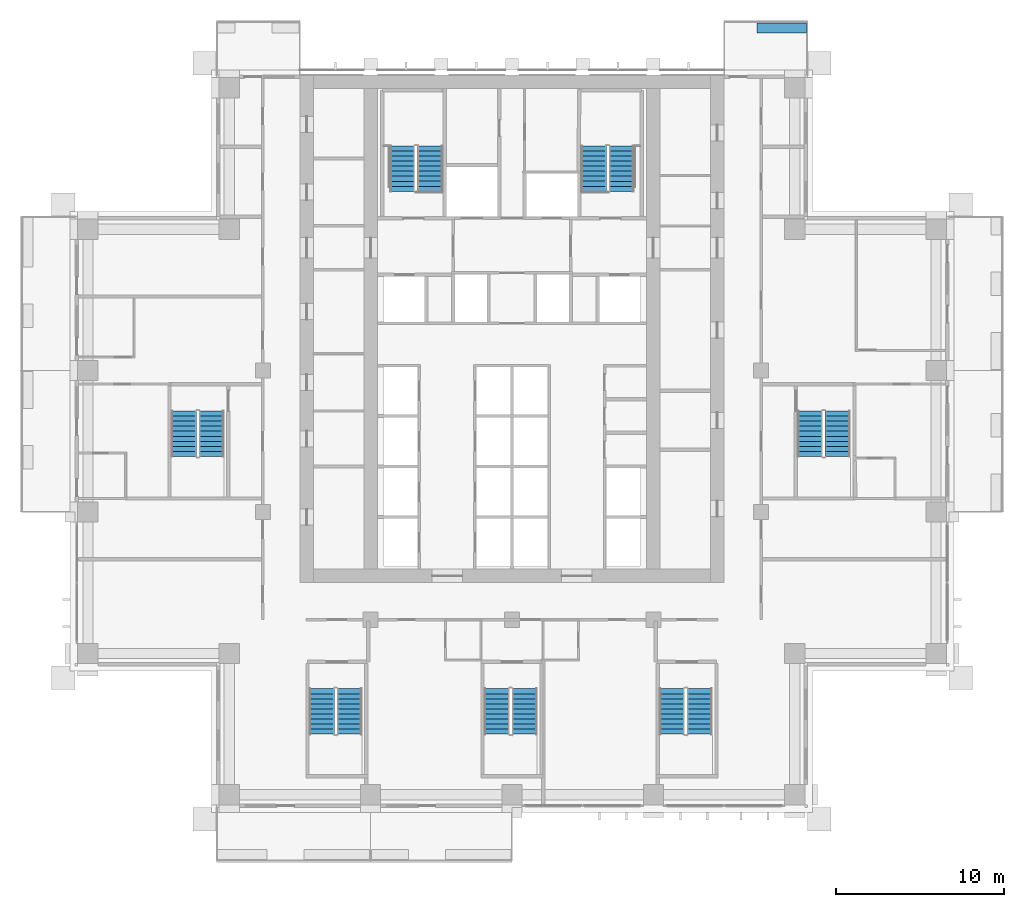
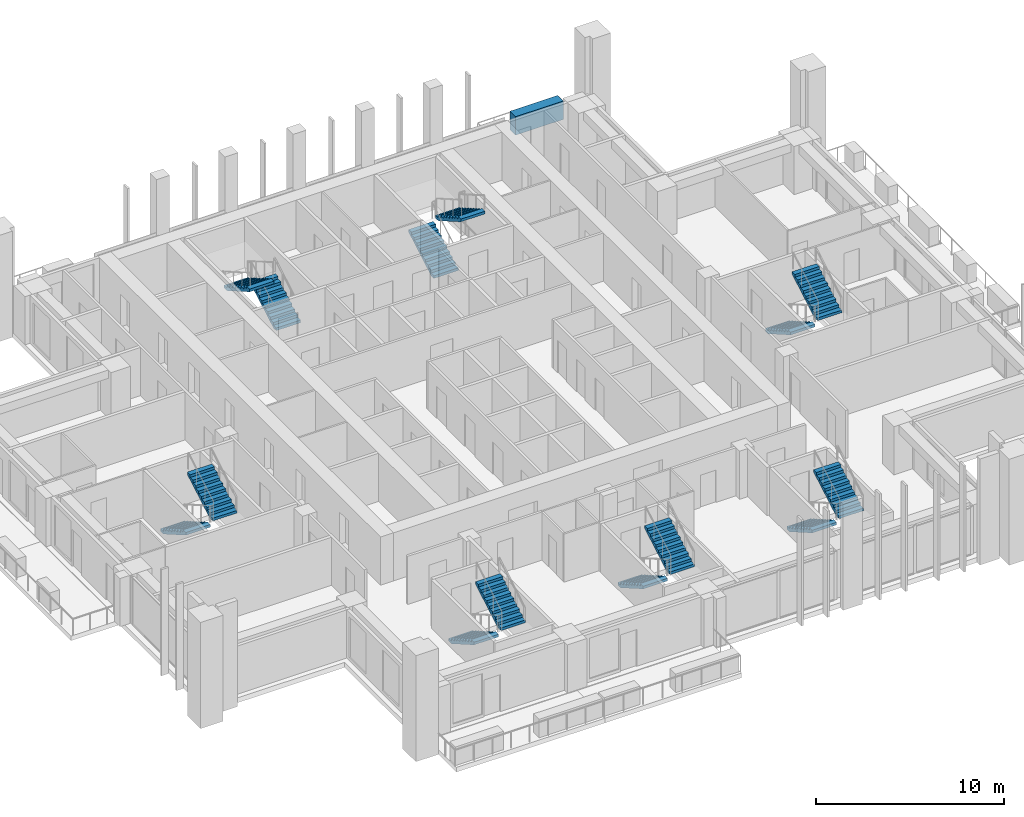
# One storey, part 12 of 17: 14 stair flights, 1 wall, 7 elements without a shape of their own.
"""IFC4 building model written with IfcOpenShell, lengths in metres."""

from ifc_helpers import new_model, si_unit, direction, frame, frame_2d, origin, place, context, subcontext, project, spatial, polyline, rectangle, outline, extrude, material, layer, layer_set, type_object, element, aggregate, save


model = new_model("IFC4")

# Units and contexts
model_context = context("Model", 3, precision=1e-05, world=origin(), true_north=direction((0.0, 1.0)))
body_context = subcontext(model_context, "Body", "Model", "MODEL_VIEW")
ifc_project = project(units=[si_unit("LENGTHUNIT", "METRE"), si_unit("AREAUNIT", "SQUARE_METRE"), si_unit("VOLUMEUNIT", "CUBIC_METRE"), si_unit("PLANEANGLEUNIT", "RADIAN"), si_unit("MASSUNIT", "GRAM", prefix="KILO")], contexts=[model_context])

# Site, building, storey
site_placement = place(None, origin())
site = spatial("IfcSite", under=ifc_project, at=site_placement, CompositionType="ELEMENT")
building_placement = place(site_placement, origin())
building = spatial("IfcBuilding", under=site, at=building_placement, Name="Vermilion Ogive Tower", CompositionType="ELEMENT")
storey_placement = place(building_placement, frame((0.0, 0.0, 97.64990234375)))
storey = spatial("IfcBuildingStorey", under=building, at=storey_placement, Name="L24", CompositionType="ELEMENT", Elevation=97.64990234375)

# Wall
ifc_material_1 = material(Name="Concrete B40", Category="concrete")
ifc_layer = layer(ifc_material_1, 0.60009765625)
ifc_layer_set = layer_set([ifc_layer], Name="Structural planter")
wall_type = type_object("IfcWallType", Name="Structural planter", PredefinedType="USERDEFINED", material=ifc_layer_set)
wall_placement = place(storey_placement, frame((17.489990234375, 24.550048828125, -0.039794921875), z_axis=(0.0, 0.0, 1.0), x_axis=(-1.0, 0.0, 0.0)))
element("IfcWall", 1, at=wall_placement, inside=storey, type_object=wall_type, Name="Planter N101A1", ObjectType="PLANTER", PredefinedType="USERDEFINED", context=body_context, shape_type="SweptSolid", body=[
    extrude(rectangle(XDim=2.93994140625, YDim=0.60009765625, at=frame_2d((1.469970703125, 0.0))), origin(), (0.0, 0.0, 1.0), 1.199951171875),
])

# Stair, stair flights
ifc_material_2 = material(Name="Concrete B40", Category="concrete")
stair_type = type_object("IfcStairType", Name="Exit stair 1500", PredefinedType="HALF_TURN_STAIR", material=ifc_material_2)
stair_1_placement = place(storey_placement, origin())
stair_1 = element("IfcStair", 2, at=stair_1_placement, inside=storey, type_object=stair_type, Name="L24 Exit Stair ST1", PredefinedType="HALF_TURN_STAIR")
ifc_material_3 = material(Name="Concrete B40", Category="concrete")
stair_flight_type = type_object("IfcStairFlightType", Name="Stair flight 1500", PredefinedType="STRAIGHT", material=ifc_material_3)
stair_flight_1_placement = place(storey_placement, frame((-4.85009765625, 14.85009765625, 0.0), z_axis=(0.0, 0.0, 1.0), x_axis=(0.0, 1.0, 0.0)))
stair_flight_1 = element("IfcStairFlight", 3, at=stair_flight_1_placement, type_object=stair_flight_type, Name="ST1 flight 1", NumberOfRisers=10, NumberOfTreads=9, PredefinedType="STRAIGHT", RiserHeight=0.1725, TreadLength=0.3, context=body_context, shape_type="SweptSolid", body=[
    extrude(outline(polyline([(0.0, 0.0), (0.0, 0.172607421875), (0.300048828125, 0.172607421875), (0.300048828125, 0.344970703125), (0.60009765625, 0.344970703125), (0.60009765625, 0.517578125), (0.89990234375, 0.517578125), (0.89990234375, 0.68994140625), (1.199951171875, 0.68994140625), (1.199951171875, 0.862548828125), (1.5, 0.862548828125), (1.5, 1.034912109375), (1.800048828125, 1.034912109375), (1.800048828125, 1.20751953125), (2.10009765625, 1.20751953125), (2.10009765625, 1.3798828125), (2.39990234375, 1.3798828125), (2.39990234375, 1.552490234375), (2.699951171875, 1.552490234375), (2.699951171875, 1.72509765625), (2.699951171875, 1.379638671875), (0.30078125, 0.0), (0.0, 0.0)])), frame((0.0, 0.75, 0.0), z_axis=(0.0, -1.0, 0.0), x_axis=(1.0, 0.0, 0.0)), (0.0, 0.0, 1.0), 1.5),
])
stair_flight_2_placement = place(storey_placement, frame((-6.5, 17.550048828125, 1.72509765625), z_axis=(0.0, 0.0, 1.0), x_axis=(0.0, -1.0, 0.0)))
stair_flight_2 = element("IfcStairFlight", 4, at=stair_flight_2_placement, type_object=stair_flight_type, Name="ST1 flight 2", NumberOfRisers=10, NumberOfTreads=9, PredefinedType="STRAIGHT", RiserHeight=0.1725, TreadLength=0.3, context=body_context, shape_type="SweptSolid", body=[
    extrude(outline(polyline([(0.0, 0.0), (0.0, 0.172607421875), (0.300048828125, 0.172607421875), (0.300048828125, 0.344970703125), (0.60009765625, 0.344970703125), (0.60009765625, 0.517578125), (0.89990234375, 0.517578125), (0.89990234375, 0.68994140625), (1.199951171875, 0.68994140625), (1.199951171875, 0.862548828125), (1.5, 0.862548828125), (1.5, 1.034912109375), (1.800048828125, 1.034912109375), (1.800048828125, 1.20751953125), (2.10009765625, 1.20751953125), (2.10009765625, 1.3798828125), (2.39990234375, 1.3798828125), (2.39990234375, 1.552490234375), (2.699951171875, 1.552490234375), (2.699951171875, 1.72509765625), (2.699951171875, 1.379638671875), (0.30078125, 0.0), (0.0, 0.0)])), frame((0.0, 0.75, 0.0), z_axis=(0.0, -1.0, 0.0), x_axis=(1.0, 0.0, 0.0)), (0.0, 0.0, 1.0), 1.5),
])
aggregate(stair_1, [stair_flight_1, stair_flight_2])

stair_2_placement = place(storey_placement, origin())
stair_2 = element("IfcStair", 5, at=stair_2_placement, inside=storey, type_object=stair_type, Name="L24 Exit Stair ST2", PredefinedType="HALF_TURN_STAIR")
stair_flight_3_placement = place(storey_placement, frame((4.85009765625, 14.85009765625, 0.0), z_axis=(0.0, 0.0, 1.0), x_axis=(0.0, 1.0, 0.0)))
stair_flight_3 = element("IfcStairFlight", 6, at=stair_flight_3_placement, type_object=stair_flight_type, Name="ST2 flight 1", NumberOfRisers=10, NumberOfTreads=9, PredefinedType="STRAIGHT", RiserHeight=0.1725, TreadLength=0.3, context=body_context, shape_type="SweptSolid", body=[
    extrude(outline(polyline([(0.0, 0.0), (0.0, 0.172607421875), (0.300048828125, 0.172607421875), (0.300048828125, 0.344970703125), (0.60009765625, 0.344970703125), (0.60009765625, 0.517578125), (0.89990234375, 0.517578125), (0.89990234375, 0.68994140625), (1.199951171875, 0.68994140625), (1.199951171875, 0.862548828125), (1.5, 0.862548828125), (1.5, 1.034912109375), (1.800048828125, 1.034912109375), (1.800048828125, 1.20751953125), (2.10009765625, 1.20751953125), (2.10009765625, 1.3798828125), (2.39990234375, 1.3798828125), (2.39990234375, 1.552490234375), (2.699951171875, 1.552490234375), (2.699951171875, 1.72509765625), (2.699951171875, 1.379638671875), (0.30078125, 0.0), (0.0, 0.0)])), frame((0.0, 0.75, 0.0), z_axis=(0.0, -1.0, 0.0), x_axis=(1.0, 0.0, 0.0)), (0.0, 0.0, 1.0), 1.5),
])
stair_flight_4_placement = place(storey_placement, frame((6.5, 17.550048828125, 1.72509765625), z_axis=(0.0, 0.0, 1.0), x_axis=(0.0, -1.0, 0.0)))
stair_flight_4 = element("IfcStairFlight", 7, at=stair_flight_4_placement, type_object=stair_flight_type, Name="ST2 flight 2", NumberOfRisers=10, NumberOfTreads=9, PredefinedType="STRAIGHT", RiserHeight=0.1725, TreadLength=0.3, context=body_context, shape_type="SweptSolid", body=[
    extrude(outline(polyline([(0.0, 0.0), (0.0, 0.172607421875), (0.300048828125, 0.172607421875), (0.300048828125, 0.344970703125), (0.60009765625, 0.344970703125), (0.60009765625, 0.517578125), (0.89990234375, 0.517578125), (0.89990234375, 0.68994140625), (1.199951171875, 0.68994140625), (1.199951171875, 0.862548828125), (1.5, 0.862548828125), (1.5, 1.034912109375), (1.800048828125, 1.034912109375), (1.800048828125, 1.20751953125), (2.10009765625, 1.20751953125), (2.10009765625, 1.3798828125), (2.39990234375, 1.3798828125), (2.39990234375, 1.552490234375), (2.699951171875, 1.552490234375), (2.699951171875, 1.72509765625), (2.699951171875, 1.379638671875), (0.30078125, 0.0), (0.0, 0.0)])), frame((0.0, 0.75, 0.0), z_axis=(0.0, -1.0, 0.0), x_axis=(1.0, 0.0, 0.0)), (0.0, 0.0, 1.0), 1.5),
])
aggregate(stair_2, [stair_flight_3, stair_flight_4])

stair_3_placement = place(storey_placement, origin())
stair_3 = element("IfcStair", 8, at=stair_3_placement, inside=storey, type_object=stair_type, Name="L24 Exit Stair ST3", PredefinedType="HALF_TURN_STAIR")
stair_flight_5_placement = place(storey_placement, frame((-11.300048828125, -14.699951171875, 0.0), z_axis=(0.0, 0.0, 1.0), x_axis=(0.0, -1.0, 0.0)))
stair_flight_5 = element("IfcStairFlight", 9, at=stair_flight_5_placement, type_object=stair_flight_type, Name="ST3 flight 1", NumberOfRisers=10, NumberOfTreads=9, PredefinedType="STRAIGHT", RiserHeight=0.1725, TreadLength=0.3, context=body_context, shape_type="SweptSolid", body=[
    extrude(outline(polyline([(0.0, 0.0), (0.0, 0.172607421875), (0.300048828125, 0.172607421875), (0.300048828125, 0.344970703125), (0.60009765625, 0.344970703125), (0.60009765625, 0.517578125), (0.89990234375, 0.517578125), (0.89990234375, 0.68994140625), (1.199951171875, 0.68994140625), (1.199951171875, 0.862548828125), (1.5, 0.862548828125), (1.5, 1.034912109375), (1.800048828125, 1.034912109375), (1.800048828125, 1.20751953125), (2.10009765625, 1.20751953125), (2.10009765625, 1.3798828125), (2.39990234375, 1.3798828125), (2.39990234375, 1.552490234375), (2.699951171875, 1.552490234375), (2.699951171875, 1.72509765625), (2.699951171875, 1.379638671875), (0.30078125, 0.0), (0.0, 0.0)])), frame((0.0, 0.75, 0.0), z_axis=(0.0, -1.0, 0.0), x_axis=(1.0, 0.0, 0.0)), (0.0, 0.0, 1.0), 1.5),
])
stair_flight_6_placement = place(storey_placement, frame((-9.64990234375, -17.39990234375, 1.72509765625), z_axis=(0.0, 0.0, 1.0), x_axis=(0.0, 1.0, 0.0)))
stair_flight_6 = element("IfcStairFlight", 10, at=stair_flight_6_placement, type_object=stair_flight_type, Name="ST3 flight 2", NumberOfRisers=10, NumberOfTreads=9, PredefinedType="STRAIGHT", RiserHeight=0.1725, TreadLength=0.3, context=body_context, shape_type="SweptSolid", body=[
    extrude(outline(polyline([(0.0, 0.0), (0.0, 0.172607421875), (0.300048828125, 0.172607421875), (0.300048828125, 0.344970703125), (0.60009765625, 0.344970703125), (0.60009765625, 0.517578125), (0.89990234375, 0.517578125), (0.89990234375, 0.68994140625), (1.199951171875, 0.68994140625), (1.199951171875, 0.862548828125), (1.5, 0.862548828125), (1.5, 1.034912109375), (1.800048828125, 1.034912109375), (1.800048828125, 1.20751953125), (2.10009765625, 1.20751953125), (2.10009765625, 1.3798828125), (2.39990234375, 1.3798828125), (2.39990234375, 1.552490234375), (2.699951171875, 1.552490234375), (2.699951171875, 1.72509765625), (2.699951171875, 1.379638671875), (0.30078125, 0.0), (0.0, 0.0)])), frame((0.0, 0.75, 0.0), z_axis=(0.0, -1.0, 0.0), x_axis=(1.0, 0.0, 0.0)), (0.0, 0.0, 1.0), 1.5),
])
aggregate(stair_3, [stair_flight_5, stair_flight_6])

stair_4_placement = place(storey_placement, origin())
stair_4 = element("IfcStair", 11, at=stair_4_placement, inside=storey, type_object=stair_type, Name="L24 Exit Stair ST4", PredefinedType="HALF_TURN_STAIR")
stair_flight_7_placement = place(storey_placement, frame((-0.89990234375, -14.699951171875, 0.0), z_axis=(0.0, 0.0, 1.0), x_axis=(0.0, -1.0, 0.0)))
stair_flight_7 = element("IfcStairFlight", 12, at=stair_flight_7_placement, type_object=stair_flight_type, Name="ST4 flight 1", NumberOfRisers=10, NumberOfTreads=9, PredefinedType="STRAIGHT", RiserHeight=0.1725, TreadLength=0.3, context=body_context, shape_type="SweptSolid", body=[
    extrude(outline(polyline([(0.0, 0.0), (0.0, 0.172607421875), (0.300048828125, 0.172607421875), (0.300048828125, 0.344970703125), (0.60009765625, 0.344970703125), (0.60009765625, 0.517578125), (0.89990234375, 0.517578125), (0.89990234375, 0.68994140625), (1.199951171875, 0.68994140625), (1.199951171875, 0.862548828125), (1.5, 0.862548828125), (1.5, 1.034912109375), (1.800048828125, 1.034912109375), (1.800048828125, 1.20751953125), (2.10009765625, 1.20751953125), (2.10009765625, 1.3798828125), (2.39990234375, 1.3798828125), (2.39990234375, 1.552490234375), (2.699951171875, 1.552490234375), (2.699951171875, 1.72509765625), (2.699951171875, 1.379638671875), (0.30078125, 0.0), (0.0, 0.0)])), frame((0.0, 0.75, 0.0), z_axis=(0.0, -1.0, 0.0), x_axis=(1.0, 0.0, 0.0)), (0.0, 0.0, 1.0), 1.5),
])
stair_flight_8_placement = place(storey_placement, frame((0.75, -17.39990234375, 1.72509765625), z_axis=(0.0, 0.0, 1.0), x_axis=(0.0, 1.0, 0.0)))
stair_flight_8 = element("IfcStairFlight", 13, at=stair_flight_8_placement, type_object=stair_flight_type, Name="ST4 flight 2", NumberOfRisers=10, NumberOfTreads=9, PredefinedType="STRAIGHT", RiserHeight=0.1725, TreadLength=0.3, context=body_context, shape_type="SweptSolid", body=[
    extrude(outline(polyline([(0.0, 0.0), (0.0, 0.172607421875), (0.300048828125, 0.172607421875), (0.300048828125, 0.344970703125), (0.60009765625, 0.344970703125), (0.60009765625, 0.517578125), (0.89990234375, 0.517578125), (0.89990234375, 0.68994140625), (1.199951171875, 0.68994140625), (1.199951171875, 0.862548828125), (1.5, 0.862548828125), (1.5, 1.034912109375), (1.800048828125, 1.034912109375), (1.800048828125, 1.20751953125), (2.10009765625, 1.20751953125), (2.10009765625, 1.3798828125), (2.39990234375, 1.3798828125), (2.39990234375, 1.552490234375), (2.699951171875, 1.552490234375), (2.699951171875, 1.72509765625), (2.699951171875, 1.379638671875), (0.30078125, 0.0), (0.0, 0.0)])), frame((0.0, 0.75, 0.0), z_axis=(0.0, -1.0, 0.0), x_axis=(1.0, 0.0, 0.0)), (0.0, 0.0, 1.0), 1.5),
])
aggregate(stair_4, [stair_flight_7, stair_flight_8])

stair_5_placement = place(storey_placement, origin())
stair_5 = element("IfcStair", 14, at=stair_5_placement, inside=storey, type_object=stair_type, Name="L24 Exit Stair ST5", PredefinedType="HALF_TURN_STAIR")
stair_flight_9_placement = place(storey_placement, frame((9.5, -14.699951171875, 0.0), z_axis=(0.0, 0.0, 1.0), x_axis=(0.0, -1.0, 0.0)))
stair_flight_9 = element("IfcStairFlight", 15, at=stair_flight_9_placement, type_object=stair_flight_type, Name="ST5 flight 1", NumberOfRisers=10, NumberOfTreads=9, PredefinedType="STRAIGHT", RiserHeight=0.1725, TreadLength=0.3, context=body_context, shape_type="SweptSolid", body=[
    extrude(outline(polyline([(0.0, 0.0), (0.0, 0.172607421875), (0.300048828125, 0.172607421875), (0.300048828125, 0.344970703125), (0.60009765625, 0.344970703125), (0.60009765625, 0.517578125), (0.89990234375, 0.517578125), (0.89990234375, 0.68994140625), (1.199951171875, 0.68994140625), (1.199951171875, 0.862548828125), (1.5, 0.862548828125), (1.5, 1.034912109375), (1.800048828125, 1.034912109375), (1.800048828125, 1.20751953125), (2.10009765625, 1.20751953125), (2.10009765625, 1.3798828125), (2.39990234375, 1.3798828125), (2.39990234375, 1.552490234375), (2.699951171875, 1.552490234375), (2.699951171875, 1.72509765625), (2.699951171875, 1.379638671875), (0.30078125, 0.0), (0.0, 0.0)])), frame((0.0, 0.75, 0.0), z_axis=(0.0, -1.0, 0.0), x_axis=(1.0, 0.0, 0.0)), (0.0, 0.0, 1.0), 1.5),
])
stair_flight_10_placement = place(storey_placement, frame((11.14990234375, -17.39990234375, 1.72509765625), z_axis=(0.0, 0.0, 1.0), x_axis=(0.0, 1.0, 0.0)))
stair_flight_10 = element("IfcStairFlight", 16, at=stair_flight_10_placement, type_object=stair_flight_type, Name="ST5 flight 2", NumberOfRisers=10, NumberOfTreads=9, PredefinedType="STRAIGHT", RiserHeight=0.1725, TreadLength=0.3, context=body_context, shape_type="SweptSolid", body=[
    extrude(outline(polyline([(0.0, 0.0), (0.0, 0.172607421875), (0.300048828125, 0.172607421875), (0.300048828125, 0.344970703125), (0.60009765625, 0.344970703125), (0.60009765625, 0.517578125), (0.89990234375, 0.517578125), (0.89990234375, 0.68994140625), (1.199951171875, 0.68994140625), (1.199951171875, 0.862548828125), (1.5, 0.862548828125), (1.5, 1.034912109375), (1.800048828125, 1.034912109375), (1.800048828125, 1.20751953125), (2.10009765625, 1.20751953125), (2.10009765625, 1.3798828125), (2.39990234375, 1.3798828125), (2.39990234375, 1.552490234375), (2.699951171875, 1.552490234375), (2.699951171875, 1.72509765625), (2.699951171875, 1.379638671875), (0.30078125, 0.0), (0.0, 0.0)])), frame((0.0, 0.75, 0.0), z_axis=(0.0, -1.0, 0.0), x_axis=(1.0, 0.0, 0.0)), (0.0, 0.0, 1.0), 1.5),
])
aggregate(stair_5, [stair_flight_9, stair_flight_10])

stair_6_placement = place(storey_placement, origin())
stair_6 = element("IfcStair", 17, at=stair_6_placement, inside=storey, type_object=stair_type, Name="L24 Exit Stair ST8", PredefinedType="HALF_TURN_STAIR")
stair_flight_11_placement = place(storey_placement, frame((17.699951171875, 1.800048828125, 0.0), z_axis=(0.0, 0.0, 1.0), x_axis=(0.0, -1.0, 0.0)))
stair_flight_11 = element("IfcStairFlight", 18, at=stair_flight_11_placement, type_object=stair_flight_type, Name="ST8 flight 1", NumberOfRisers=10, NumberOfTreads=9, PredefinedType="STRAIGHT", RiserHeight=0.1725, TreadLength=0.3, context=body_context, shape_type="SweptSolid", body=[
    extrude(outline(polyline([(0.0, 0.0), (0.0, 0.172607421875), (0.300048828125, 0.172607421875), (0.300048828125, 0.344970703125), (0.60009765625, 0.344970703125), (0.60009765625, 0.517578125), (0.89990234375, 0.517578125), (0.89990234375, 0.68994140625), (1.199951171875, 0.68994140625), (1.199951171875, 0.862548828125), (1.5, 0.862548828125), (1.5, 1.034912109375), (1.800048828125, 1.034912109375), (1.800048828125, 1.20751953125), (2.10009765625, 1.20751953125), (2.10009765625, 1.3798828125), (2.39990234375, 1.3798828125), (2.39990234375, 1.552490234375), (2.699951171875, 1.552490234375), (2.699951171875, 1.72509765625), (2.699951171875, 1.379638671875), (0.30078125, 0.0), (0.0, 0.0)])), frame((0.0, 0.75, 0.0), z_axis=(0.0, -1.0, 0.0), x_axis=(1.0, 0.0, 0.0)), (0.0, 0.0, 1.0), 1.5),
])
stair_flight_12_placement = place(storey_placement, frame((19.35009765625, -0.89990234375, 1.72509765625), z_axis=(0.0, 0.0, 1.0), x_axis=(0.0, 1.0, 0.0)))
stair_flight_12 = element("IfcStairFlight", 19, at=stair_flight_12_placement, type_object=stair_flight_type, Name="ST8 flight 2", NumberOfRisers=10, NumberOfTreads=9, PredefinedType="STRAIGHT", RiserHeight=0.1725, TreadLength=0.3, context=body_context, shape_type="SweptSolid", body=[
    extrude(outline(polyline([(0.0, 0.0), (0.0, 0.172607421875), (0.300048828125, 0.172607421875), (0.300048828125, 0.344970703125), (0.60009765625, 0.344970703125), (0.60009765625, 0.517578125), (0.89990234375, 0.517578125), (0.89990234375, 0.68994140625), (1.199951171875, 0.68994140625), (1.199951171875, 0.862548828125), (1.5, 0.862548828125), (1.5, 1.034912109375), (1.800048828125, 1.034912109375), (1.800048828125, 1.20751953125), (2.10009765625, 1.20751953125), (2.10009765625, 1.3798828125), (2.39990234375, 1.3798828125), (2.39990234375, 1.552490234375), (2.699951171875, 1.552490234375), (2.699951171875, 1.72509765625), (2.699951171875, 1.379638671875), (0.30078125, 0.0), (0.0, 0.0)])), frame((0.0, 0.75, 0.0), z_axis=(0.0, -1.0, 0.0), x_axis=(1.0, 0.0, 0.0)), (0.0, 0.0, 1.0), 1.5),
])
aggregate(stair_6, [stair_flight_11, stair_flight_12])

stair_7_placement = place(storey_placement, origin())
stair_7 = element("IfcStair", 20, at=stair_7_placement, inside=storey, type_object=stair_type, Name="L24 Exit Stair ST9", PredefinedType="HALF_TURN_STAIR")
stair_flight_13_placement = place(storey_placement, frame((-19.5, 1.800048828125, 0.0), z_axis=(0.0, 0.0, 1.0), x_axis=(0.0, -1.0, 0.0)))
stair_flight_13 = element("IfcStairFlight", 21, at=stair_flight_13_placement, type_object=stair_flight_type, Name="ST9 flight 1", NumberOfRisers=10, NumberOfTreads=9, PredefinedType="STRAIGHT", RiserHeight=0.1725, TreadLength=0.3, context=body_context, shape_type="SweptSolid", body=[
    extrude(outline(polyline([(0.0, 0.0), (0.0, 0.172607421875), (0.300048828125, 0.172607421875), (0.300048828125, 0.344970703125), (0.60009765625, 0.344970703125), (0.60009765625, 0.517578125), (0.89990234375, 0.517578125), (0.89990234375, 0.68994140625), (1.199951171875, 0.68994140625), (1.199951171875, 0.862548828125), (1.5, 0.862548828125), (1.5, 1.034912109375), (1.800048828125, 1.034912109375), (1.800048828125, 1.20751953125), (2.10009765625, 1.20751953125), (2.10009765625, 1.3798828125), (2.39990234375, 1.3798828125), (2.39990234375, 1.552490234375), (2.699951171875, 1.552490234375), (2.699951171875, 1.72509765625), (2.699951171875, 1.379638671875), (0.30078125, 0.0), (0.0, 0.0)])), frame((0.0, 0.75, 0.0), z_axis=(0.0, -1.0, 0.0), x_axis=(1.0, 0.0, 0.0)), (0.0, 0.0, 1.0), 1.5),
])
stair_flight_14_placement = place(storey_placement, frame((-17.85009765625, -0.89990234375, 1.72509765625), z_axis=(0.0, 0.0, 1.0), x_axis=(0.0, 1.0, 0.0)))
stair_flight_14 = element("IfcStairFlight", 22, at=stair_flight_14_placement, type_object=stair_flight_type, Name="ST9 flight 2", NumberOfRisers=10, NumberOfTreads=9, PredefinedType="STRAIGHT", RiserHeight=0.1725, TreadLength=0.3, context=body_context, shape_type="SweptSolid", body=[
    extrude(outline(polyline([(0.0, 0.0), (0.0, 0.172607421875), (0.300048828125, 0.172607421875), (0.300048828125, 0.344970703125), (0.60009765625, 0.344970703125), (0.60009765625, 0.517578125), (0.89990234375, 0.517578125), (0.89990234375, 0.68994140625), (1.199951171875, 0.68994140625), (1.199951171875, 0.862548828125), (1.5, 0.862548828125), (1.5, 1.034912109375), (1.800048828125, 1.034912109375), (1.800048828125, 1.20751953125), (2.10009765625, 1.20751953125), (2.10009765625, 1.3798828125), (2.39990234375, 1.3798828125), (2.39990234375, 1.552490234375), (2.699951171875, 1.552490234375), (2.699951171875, 1.72509765625), (2.699951171875, 1.379638671875), (0.30078125, 0.0), (0.0, 0.0)])), frame((0.0, 0.75, 0.0), z_axis=(0.0, -1.0, 0.0), x_axis=(1.0, 0.0, 0.0)), (0.0, 0.0, 1.0), 1.5),
])
aggregate(stair_7, [stair_flight_13, stair_flight_14])

save(model, "model.ifc")
